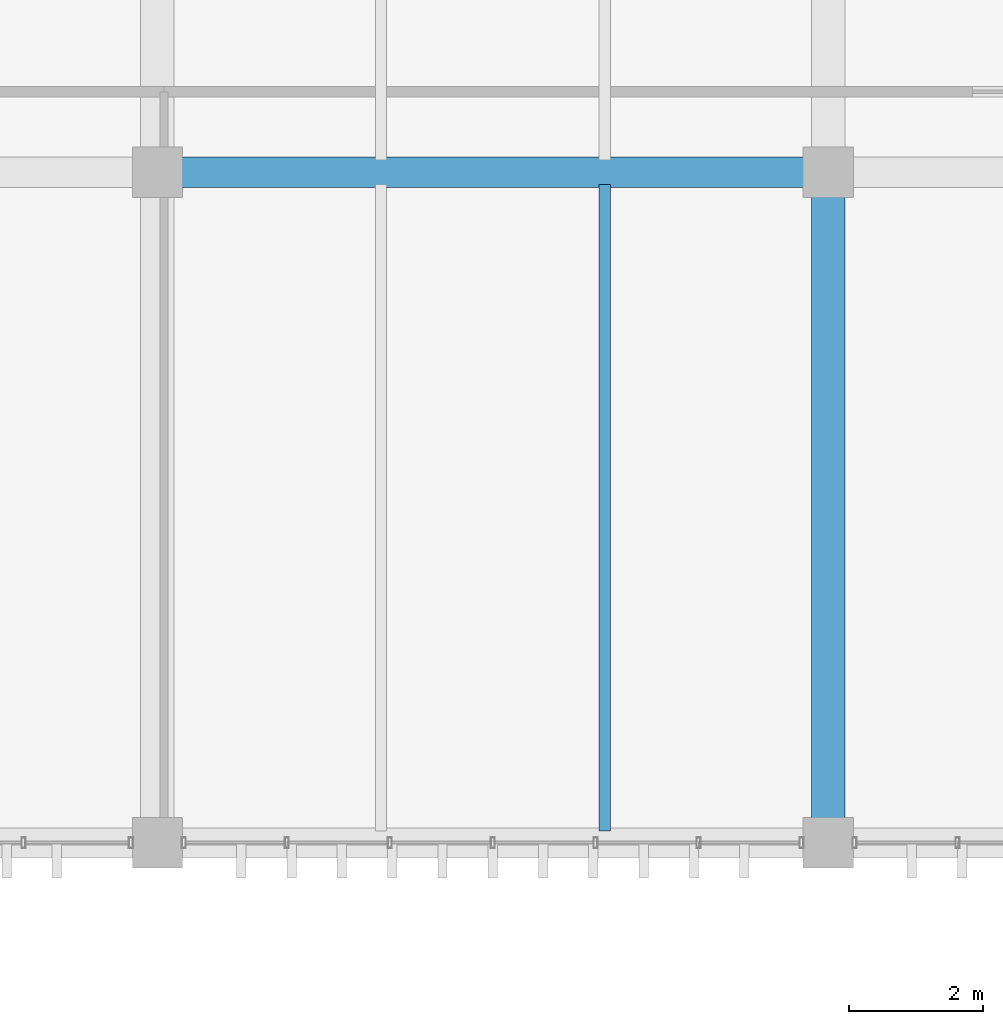
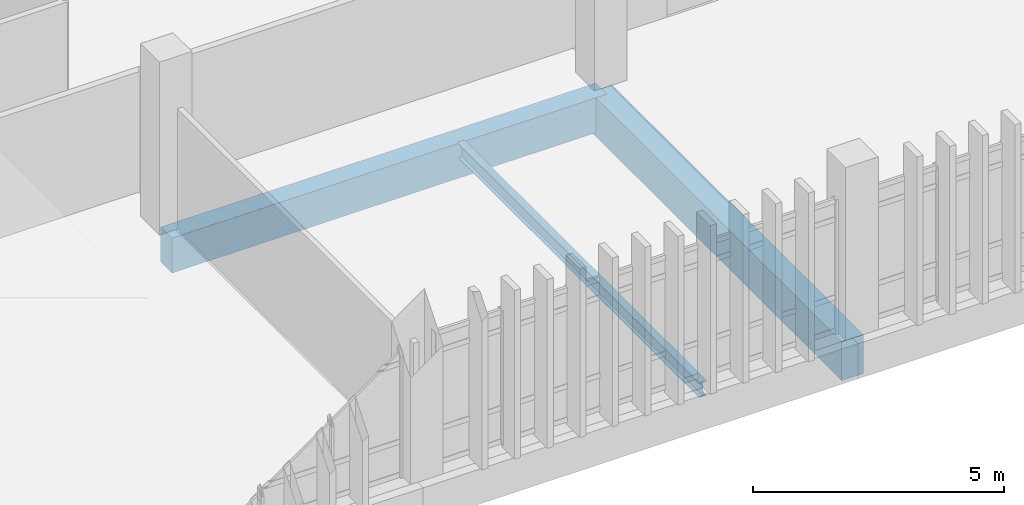
# One storey, part 81 of 161: 3 beams.
"""IFC4 building model written with IfcOpenShell, lengths in metres."""

import ifcopenshell
import ifcopenshell.guid

model = None  # the IFC model being written
_history = None  # IfcOwnerHistory: only IFC2X3 demands one
_inside = {}  # id of a spatial element -> (the spatial element, [elements in it])
_under = {}  # id of a project, library or spatial element -> (it, [spatial elements below it])
_declared = {}  # id of a project -> (the project, [libraries it declares])
_typed = {}  # id of a type object -> (the type object, [elements of that type])
_made_of = {}  # id of a material, layer set ... -> (it, [elements and type objects made of it])


def new_model(schema):
    """Start an empty IFC model of exactly this schema.

    Asked for "IFC4X3", IfcOpenShell would pick the latest addendum, in which some entities
    have other attributes; the version numbers below select the first issue.
    IFC2X3 requires an IfcOwnerHistory on every rooted entity: one is made here for all.
    """
    global model, _history
    if schema == "IFC4X3":
        model = ifcopenshell.file(schema_version=(4, 3, 0, 0))
    else:
        model = ifcopenshell.file(schema=schema)
    _inside.clear()
    _under.clear()
    _declared.clear()
    _typed.clear()
    _made_of.clear()
    _history = None
    if model.schema == "IFC2X3":
        org = make("IfcOrganization", Name="unknown")
        user = make(
            "IfcPersonAndOrganization",
            ThePerson=make("IfcPerson", FamilyName="unknown"),
            TheOrganization=org,
        )
        app = make(
            "IfcApplication",
            ApplicationDeveloper=org,
            Version="unknown",
            ApplicationFullName="unknown",
            ApplicationIdentifier="unknown",
        )
        _history = make(
            "IfcOwnerHistory",
            OwningUser=user,
            OwningApplication=app,
            ChangeAction="ADDED",
            CreationDate=0,
        )
    return model


def make(cls, **values):
    """One entity of the class cls with the attributes given. An attribute that is None is left unset."""
    return model.create_entity(
        cls, **{name: value for name, value in values.items() if value is not None}
    )


def rooted(cls, **values):
    """An entity with a GlobalId (a new one), such as an element, a storey or a relation."""
    return make(cls, GlobalId=ifcopenshell.guid.new(), OwnerHistory=_history, **values)


def si_unit(unit_type, name, prefix=None):
    """IfcSIUnit, for example si_unit("LENGTHUNIT", "METRE", prefix="MILLI")."""
    return make("IfcSIUnit", UnitType=unit_type, Prefix=prefix, Name=name)


def assignment(units):
    """IfcUnitAssignment: the units of a project."""
    return None if units is None else make("IfcUnitAssignment", Units=units)


def point(xyz):
    """IfcCartesianPoint."""
    return None if xyz is None else make("IfcCartesianPoint", Coordinates=xyz)


def direction(xyz):
    """IfcDirection."""
    return None if xyz is None else make("IfcDirection", DirectionRatios=xyz)


def frame(location, z_axis=None, x_axis=None):
    """IfcAxis2Placement3D, a coordinate frame: its origin and axes. An axis left out is left unset."""
    return make(
        "IfcAxis2Placement3D",
        Location=point(location),
        Axis=direction(z_axis),
        RefDirection=direction(x_axis),
    )


def frame_2d(location, x_axis=None):
    """IfcAxis2Placement2D, a coordinate frame in the plane: its origin and x axis."""
    return make(
        "IfcAxis2Placement2D", Location=point(location), RefDirection=direction(x_axis)
    )


def origin():
    """The frame at (0, 0, 0) with its axes left unset."""
    return frame((0.0, 0.0, 0.0))


def origin_2d():
    """The frame at (0, 0) in the plane with its x axis left unset."""
    return frame_2d((0.0, 0.0))


def place(relative_to, where):
    """IfcLocalPlacement: puts the frame where relative to a parent placement (None: the world)."""
    return make(
        "IfcLocalPlacement", PlacementRelTo=relative_to, RelativePlacement=where
    )


def context(
    kind, dimensions, precision=None, world=None, true_north=None, identifier=None
):
    """IfcGeometricRepresentationContext, for example the 3D "Model" context."""
    return make(
        "IfcGeometricRepresentationContext",
        ContextIdentifier=identifier,
        ContextType=kind,
        CoordinateSpaceDimension=dimensions,
        Precision=precision,
        WorldCoordinateSystem=world,
        TrueNorth=true_north,
    )


def subcontext(parent, identifier, kind, view, scale=None):
    """IfcGeometricRepresentationSubContext, for example "Body" below "Model"."""
    return make(
        "IfcGeometricRepresentationSubContext",
        ContextIdentifier=identifier,
        ContextType=kind,
        ParentContext=parent,
        TargetScale=scale,
        TargetView=view,
    )


def project(units=None, contexts=None):
    """IfcProject with its units and contexts."""
    return rooted(
        "IfcProject",
        Name="project",
        RepresentationContexts=contexts,
        UnitsInContext=assignment(units),
    )


def spatial(cls, under=None, at=None, **own):
    """A site, building, storey or space (cls), placed at a placement, below another one or the project."""
    s = rooted(cls, ObjectPlacement=at, **own)
    if under is not None:
        _under.setdefault(under.id(), (under, []))[1].append(s)
    return s


def profile(cls, at=None, kind="AREA", **sizes):
    """A parametric profile (cls). Its sizes go by their IFC names, for example OverallWidth=200.0."""
    return make(cls, ProfileType=kind, Position=at, **sizes)


def rectangle(**sizes):
    """IfcRectangleProfileDef."""
    return profile("IfcRectangleProfileDef", **sizes)


def i_section(**sizes):
    """IfcIShapeProfileDef."""
    return profile("IfcIShapeProfileDef", **sizes)


def extrude(swept, where, along, depth):
    """IfcExtrudedAreaSolid: the profile swept, set in the frame where, extruded along a direction by depth."""
    return make(
        "IfcExtrudedAreaSolid",
        SweptArea=swept,
        Position=where,
        ExtrudedDirection=direction(along),
        Depth=depth,
    )


def shape(context_of_items, identifier, shape_type, items):
    """IfcShapeRepresentation: the items that make up one representation, for example the "Body"."""
    return make(
        "IfcShapeRepresentation",
        ContextOfItems=context_of_items,
        RepresentationIdentifier=identifier,
        RepresentationType=shape_type,
        Items=items,
    )


def material(Name=None, Category=None):
    """IfcMaterial."""
    return make("IfcMaterial", Name=Name, Category=Category)


def material_profile(
    of_material, cross_section, Name=None, Category=None, Priority=None
):
    """IfcMaterialProfile: a cross section and its material."""
    return make(
        "IfcMaterialProfile",
        Name=Name,
        Material=of_material,
        Profile=cross_section,
        Priority=Priority,
        Category=Category,
    )


def profile_set(profiles, Name=None, composite=None):
    """IfcMaterialProfileSet."""
    return make(
        "IfcMaterialProfileSet",
        Name=Name,
        MaterialProfiles=profiles,
        CompositeProfile=composite,
    )


def made_of(thing, what):
    """Note that an element or type object is made of a material, layer set ...; save() writes the relation."""
    if what is not None:
        _made_of.setdefault(what.id(), (what, []))[1].append(thing)
    return thing


def type_object(cls, material=None, **own):
    """A type object (cls), such as IfcWallType, which elements share."""
    return made_of(rooted(cls, **own), material)


def element(
    cls,
    number,
    at=None,
    inside=None,
    cuts=None,
    type_object=None,
    material=None,
    context=None,
    identifier="Body",
    shape_type=None,
    held_by="IfcProductDefinitionShape",
    body=None,
    shapes=None,
    **own,
):
    """One element of the class cls, such as IfcWall. Its Tag is "e" and its number.

    at: its placement. inside: the storey or other place that contains it. cuts: it is an
    opening in that element (IfcRelVoidsElement). A single representation is given by context,
    identifier, shape_type and body (its items); several are given by shapes. held_by: the class
    of the entity that holds the representations. save() writes the other relations.
    """
    e = rooted(cls, Tag="e%d" % number, ObjectPlacement=at, **own)
    if body is not None:
        shapes = [shape(context, identifier, shape_type, body)]
    if shapes is not None:
        e.Representation = make(held_by, Representations=shapes)
    if inside is not None:
        _inside.setdefault(inside.id(), (inside, []))[1].append(e)
    if cuts is not None:
        rooted(
            "IfcRelVoidsElement", RelatingBuildingElement=cuts, RelatedOpeningElement=e
        )
    if type_object is not None:
        _typed.setdefault(type_object.id(), (type_object, []))[1].append(e)
    return made_of(e, material)


def aggregate(whole, parts):
    """IfcRelAggregates: a whole, such as a stair, and the parts it consists of."""
    return rooted("IfcRelAggregates", RelatingObject=whole, RelatedObjects=parts)


def save(model, path):
    """Write the relations noted so far, then the file.

    IfcRelAggregates (storeys below a building ...), IfcRelContainedInSpatialStructure (elements
    in a storey), IfcRelDefinesByType, IfcRelAssociatesMaterial and IfcRelDeclares: one each for
    every whole, place, type object, material and project.
    """
    for whole, parts in _under.values():
        aggregate(whole, parts)
    for where, things in _inside.values():
        rooted(
            "IfcRelContainedInSpatialStructure",
            RelatedElements=things,
            RelatingStructure=where,
        )
    for kind, things in _typed.values():
        rooted("IfcRelDefinesByType", RelatedObjects=things, RelatingType=kind)
    for what, things in _made_of.values():
        rooted("IfcRelAssociatesMaterial", RelatedObjects=things, RelatingMaterial=what)
    for by, libraries in _declared.values():
        rooted("IfcRelDeclares", RelatingContext=by, RelatedDefinitions=libraries)
    model.write(path)


model = new_model("IFC4")

# Units and contexts
model_context = context("Model", 3, precision=1e-05, world=origin(), true_north=direction((0.0, 1.0)))
body_context = subcontext(model_context, "Body", "Model", "MODEL_VIEW")
ifc_project = project(units=[si_unit("LENGTHUNIT", "METRE"), si_unit("AREAUNIT", "SQUARE_METRE"), si_unit("VOLUMEUNIT", "CUBIC_METRE"), si_unit("PLANEANGLEUNIT", "RADIAN"), si_unit("MASSUNIT", "GRAM", prefix="KILO")], contexts=[model_context])

# Site, building, storey
site_placement = place(None, origin())
site = spatial("IfcSite", under=ifc_project, at=site_placement, CompositionType="ELEMENT")
building_placement = place(site_placement, origin())
building = spatial("IfcBuilding", under=site, at=building_placement, Name="Mersad Railyard Sports Hall", CompositionType="ELEMENT")
storey_placement = place(building_placement, frame((0.0, 0.0, 4.800048828125)))
storey = spatial("IfcBuildingStorey", under=building, at=storey_placement, Name="L01", CompositionType="ELEMENT", Elevation=4.800048828125)

# Beams
ifc_material_1 = material(Name="Concrete C40/50", Category="concrete")
ifc_material_profile_1 = material_profile(ifc_material_1, rectangle(XDim=0.449951171875, YDim=0.85009765625, at=origin_2d()), Name="RC 450x850")
ifc_profile_set_1 = profile_set([ifc_material_profile_1], Name="Concrete C40/50")
beam_type_1 = type_object("IfcBeamType", Name="STR-BM-B02", PredefinedType="BEAM", material=ifc_profile_set_1)
beam_1_placement = place(storey_placement, frame((91.0, 95.0, -0.72509765625), z_axis=(1.0, 0.0, 0.0), x_axis=(0.0, 1.0, 0.0)))
element("IfcBeam", 1, at=beam_1_placement, inside=storey, type_object=beam_type_1, Name="Beam B02-0936", PredefinedType="BEAM", context=body_context, shape_type="SweptSolid", body=[
    extrude(rectangle(XDim=0.449951171875, YDim=0.85009765625, at=origin_2d()), origin(), (0.0, 0.0, 1.0), 10.0),
])
ifc_material_2 = material(Name="Concrete C50/60", Category="concrete")
ifc_material_profile_2 = material_profile(ifc_material_2, rectangle(XDim=0.5, YDim=0.949951171875, at=origin_2d()), Name="RC 500x950")
ifc_profile_set_2 = profile_set([ifc_material_profile_2], Name="Concrete C50/60")
beam_type_2 = type_object("IfcBeamType", Name="STR-BM-B03", PredefinedType="BEAM", material=ifc_profile_set_2)
beam_2_placement = place(storey_placement, frame((101.0, 85.0, -0.775146484375), z_axis=(0.0, 1.0, 0.0), x_axis=(-1.0, 0.0, 0.0)))
element("IfcBeam", 2, at=beam_2_placement, inside=storey, type_object=beam_type_2, Name="Beam B03-0971", PredefinedType="BEAM", context=body_context, shape_type="SweptSolid", body=[
    extrude(rectangle(XDim=0.5, YDim=0.949951171875, at=origin_2d()), origin(), (0.0, 0.0, 1.0), 10.0),
])
ifc_material_3 = material(Name="Steel S355", Category="steel")
ifc_material_profile_3 = material_profile(ifc_material_3, i_section(OverallWidth=0.169921875, OverallDepth=0.360107421875, WebThickness=0.008056640625, FlangeThickness=0.0126953125, at=origin_2d()), Name="IPE 360")
ifc_profile_set_3 = profile_set([ifc_material_profile_3], Name="Steel S355")
beam_type_3 = type_object("IfcBeamType", Name="STR-BM-J03", PredefinedType="JOIST", material=ifc_profile_set_3)
beam_3_placement = place(storey_placement, frame((97.6669921875, 85.179931640625, -0.47998046875), z_axis=(0.0, 1.0, 0.0), x_axis=(-1.0, 0.0, 0.0)))
element("IfcBeam", 3, at=beam_3_placement, inside=storey, type_object=beam_type_3, Name="Beam J03-1030", PredefinedType="JOIST", context=body_context, shape_type="SweptSolid", body=[
    extrude(i_section(OverallWidth=0.169921875, OverallDepth=0.360107421875, WebThickness=0.008056640625, FlangeThickness=0.0126953125, at=origin_2d()), origin(), (0.0, 0.0, 1.0), 9.64013671875),
])

save(model, "model.ifc")
